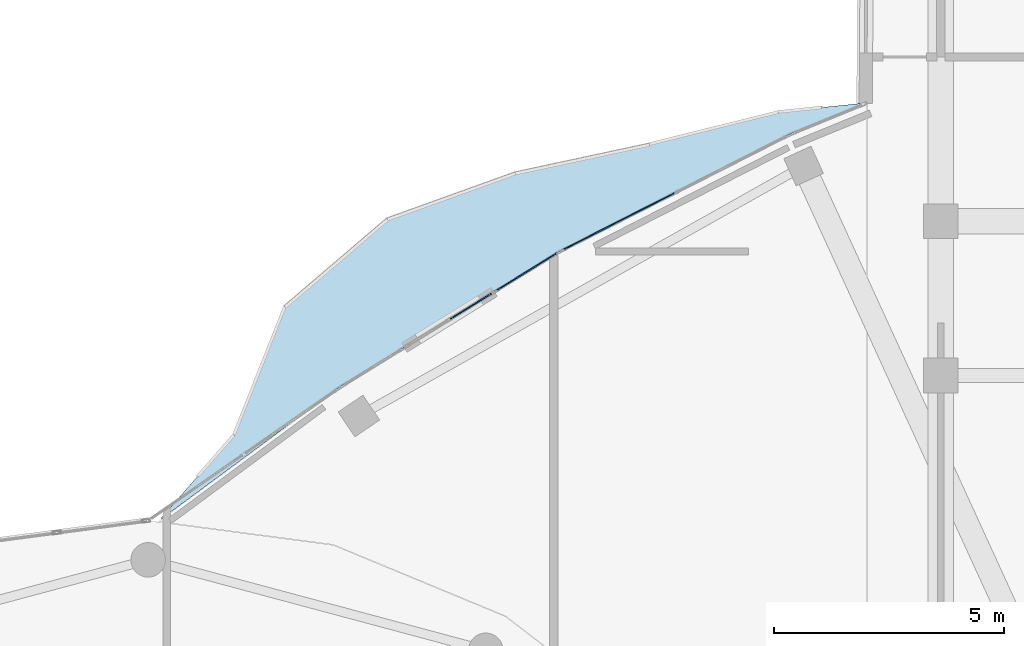
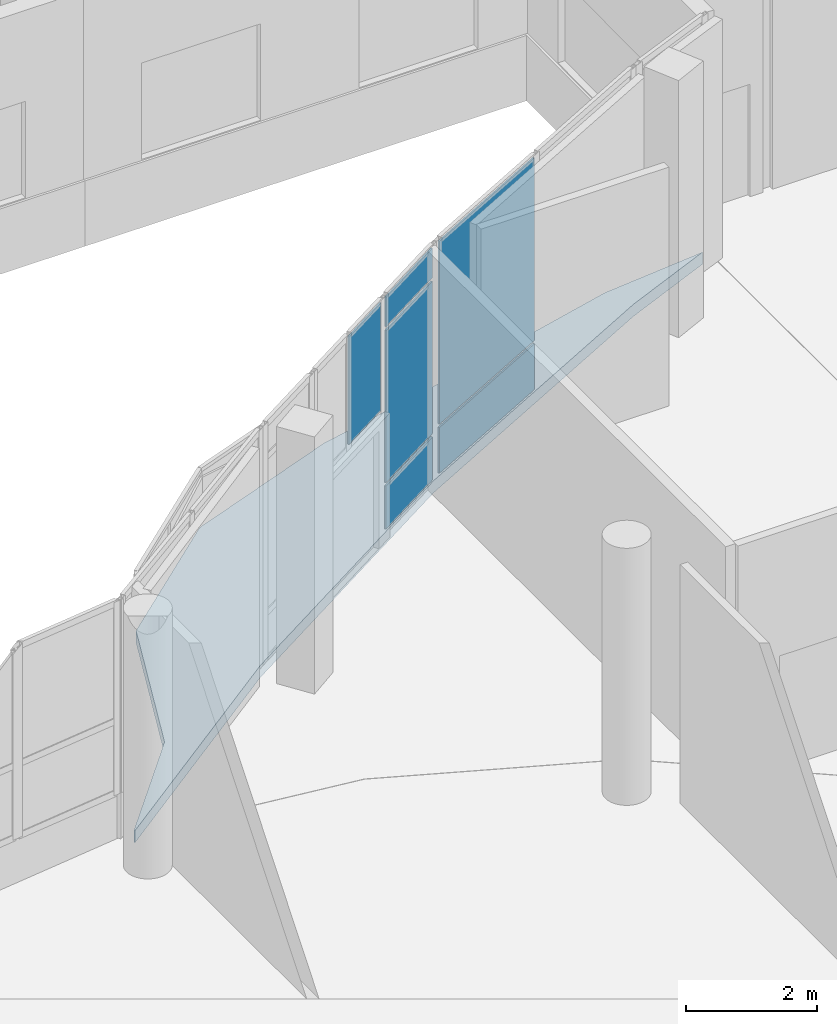
# One storey, part 123 of 155: 6 plates, 1 slab, 3 elements without a shape of their own.
"""IFC4 building model written with IfcOpenShell, lengths in metres."""

from ifc_helpers import new_model, si_unit, direction, frame, origin, origin_2d, place, context, subcontext, project, spatial, polyline, rectangle, outline, extrude, material, layer, layer_set, type_object, element, aggregate, save


model = new_model("IFC4")

# Units and contexts
model_context = context("Model", 3, precision=1e-05, world=origin(), true_north=direction((0.0, 1.0)))
body_context = subcontext(model_context, "Body", "Model", "MODEL_VIEW")
ifc_project = project(units=[si_unit("LENGTHUNIT", "METRE"), si_unit("AREAUNIT", "SQUARE_METRE"), si_unit("VOLUMEUNIT", "CUBIC_METRE"), si_unit("PLANEANGLEUNIT", "RADIAN"), si_unit("MASSUNIT", "GRAM", prefix="KILO")], contexts=[model_context])

# Site, building, storey
site_placement = place(None, origin())
site = spatial("IfcSite", under=ifc_project, at=site_placement, CompositionType="ELEMENT")
building_placement = place(site_placement, origin())
building = spatial("IfcBuilding", under=site, at=building_placement, Name="Selatvlak General Hospital", CompositionType="ELEMENT")
storey_placement = place(building_placement, frame((0.0, 0.0, 10.199951171875)))
storey = spatial("IfcBuildingStorey", under=building, at=storey_placement, Name="L02", CompositionType="ELEMENT", Elevation=10.199951171875)

# Curtain wall, plate
ifc_material_1 = material(Name="Solar-control Low-E double glazing", Category="glass")
curtain_wall_type_1 = type_object("IfcCurtainWallType", Name="CW-CW-02", PredefinedType="USERDEFINED", material=ifc_material_1)
curtain_wall_1_placement = place(storey_placement, origin())
curtain_wall_1 = element("IfcCurtainWall", 1, at=curtain_wall_1_placement, inside=storey, type_object=curtain_wall_type_1, Name="Glazed facade curtain wall CW-L02-0352", ObjectType="UNITISED CURTAIN WALL", PredefinedType="USERDEFINED")
ifc_layer_1 = layer(ifc_material_1, 0.028076171875, Name="Solar-control Low-E double glazing", Category="glass")
ifc_layer_set_1 = layer_set([ifc_layer_1], Name="Solar-control Low-E double glazing")
plate_type = type_object("IfcPlateType", Name="CWP-01", PredefinedType="CURTAIN_PANEL", material=ifc_layer_set_1)
plate_1_placement = place(storey_placement, frame((105.002685546875, 74.15283203125, 2.38525390625), z_axis=(0.0, 0.0, 1.0), x_axis=(0.850415359562, 0.526111885649, 0.0)))
plate_1 = element("IfcPlate", 2, at=plate_1_placement, type_object=plate_type, Name="CW-02 panel 2.1", PredefinedType="CURTAIN_PANEL", context=body_context, shape_type="SweptSolid", body=[
    extrude(rectangle(XDim=1.037353515625, YDim=0.028076171875, at=origin_2d()), origin(), (0.0, 0.0, 1.0), 2.010009765625),
])
aggregate(curtain_wall_1, [plate_1])

# Curtain wall, plates
curtain_wall_type_2 = type_object("IfcCurtainWallType", Name="CW-CW-01", PredefinedType="USERDEFINED", material=ifc_material_1)
curtain_wall_2_placement = place(storey_placement, origin())
curtain_wall_2 = element("IfcCurtainWall", 3, at=curtain_wall_2_placement, inside=storey, type_object=curtain_wall_type_2, Name="Glazed facade curtain wall CW-L02-0354", ObjectType="UNITISED CURTAIN WALL", PredefinedType="USERDEFINED")
plate_2_placement = place(storey_placement, frame((106.214599609375, 74.902099609375, 0.06494140625), z_axis=(0.0, 0.0, 1.0), x_axis=(0.850724979241, 0.525611082166, 0.0)))
plate_2 = element("IfcPlate", 4, at=plate_2_placement, type_object=plate_type, Name="CW-01 panel 1.1", PredefinedType="CURTAIN_PANEL", context=body_context, shape_type="SweptSolid", body=[
    extrude(rectangle(XDim=1.490966796875, YDim=0.028076171875, at=origin_2d()), origin(), (0.0, 0.0, 1.0), 0.802490234375),
])
plate_3_placement = place(storey_placement, frame((106.214599609375, 74.902099609375, 0.9326171875), z_axis=(0.0, 0.0, 1.0), x_axis=(0.850724979241, 0.525611082166, 0.0)))
plate_3 = element("IfcPlate", 5, at=plate_3_placement, type_object=plate_type, Name="CW-01 panel 1.2", PredefinedType="CURTAIN_PANEL", context=body_context, shape_type="SweptSolid", body=[
    extrude(rectangle(XDim=1.490966796875, YDim=0.028076171875, at=origin_2d()), origin(), (0.0, 0.0, 1.0), 2.844970703125),
])
plate_4_placement = place(storey_placement, frame((106.214599609375, 74.902099609375, 3.8427734375), z_axis=(0.0, 0.0, 1.0), x_axis=(0.850724979241, 0.525611082166, 0.0)))
plate_4 = element("IfcPlate", 6, at=plate_4_placement, type_object=plate_type, Name="CW-01 panel 1.3", PredefinedType="CURTAIN_PANEL", context=body_context, shape_type="SweptSolid", body=[
    extrude(rectangle(XDim=1.490966796875, YDim=0.028076171875, at=origin_2d()), origin(), (0.0, 0.0, 1.0), 0.552490234375),
])
aggregate(curtain_wall_2, [plate_2, plate_3, plate_4])

curtain_wall_3_placement = place(storey_placement, origin())
curtain_wall_3 = element("IfcCurtainWall", 7, at=curtain_wall_3_placement, inside=storey, type_object=curtain_wall_type_2, Name="Glazed facade curtain wall CW-L02-0355", ObjectType="UNITISED CURTAIN WALL", PredefinedType="USERDEFINED")
plate_5_placement = place(storey_placement, frame((108.2197265625, 75.9990234375, 0.06494140625), z_axis=(0.0, 0.0, 1.0), x_axis=(0.891326828077, 0.453361318983, 0.0)))
plate_5 = element("IfcPlate", 8, at=plate_5_placement, type_object=plate_type, Name="CW-01 panel 1.1", PredefinedType="CURTAIN_PANEL", context=body_context, shape_type="SweptSolid", body=[
    extrude(rectangle(XDim=2.6630859375, YDim=0.028076171875, at=origin_2d()), origin(), (0.0, 0.0, 1.0), 0.8525390625),
])
plate_6_placement = place(storey_placement, frame((108.2197265625, 75.9990234375, 0.982421875), z_axis=(0.0, 0.0, 1.0), x_axis=(0.891326828077, 0.453361318983, 0.0)))
plate_6 = element("IfcPlate", 9, at=plate_6_placement, type_object=plate_type, Name="CW-01 panel 1.2", PredefinedType="CURTAIN_PANEL", context=body_context, shape_type="SweptSolid", body=[
    extrude(rectangle(XDim=2.6630859375, YDim=0.028076171875, at=origin_2d()), origin(), (0.0, 0.0, 1.0), 3.41259765625),
])
aggregate(curtain_wall_3, [plate_5, plate_6])

# Slab
ifc_material_2 = material(Name="Concrete C40/50", Category="concrete")
ifc_layer_2 = layer(ifc_material_2, 0.22509765625, Name="Concrete C40/50", Category="concrete")
ifc_layer_set_2 = layer_set([ifc_layer_2], Name="Concrete C40/50")
slab_type = type_object("IfcSlabType", Name="SLAB-SL-BL2", PredefinedType="FLOOR", material=ifc_layer_set_2)
slab_placement = place(storey_placement, frame((0.0, 0.0, -0.224853515625)))
element("IfcSlab", 10, at=slab_placement, inside=storey, type_object=slab_type, Name="L02 S-curve sunshade balcony 3", PredefinedType="FLOOR", context=body_context, shape_type="SweptSolid", body=[
    extrude(outline(polyline([(105.958984375, 77.0439453125), (108.8740234375, 77.6689453125), (111.679931640625, 78.368896484375), (113.52001953125, 78.56005859375), (111.907958984375, 77.882080078125), (106.916015625, 75.341064453125), (102.14892578125, 72.39501953125), (98.2919921875, 69.5419921875), (98.26904296875, 69.544921875), (99.861083984375, 71.361083984375), (100.968017578125, 74.14892578125), (103.18603515625, 76.0458984375), (105.958984375, 77.0439453125)])), origin(), (0.0, 0.0, 1.0), 0.224853515625),
])

save(model, "model.ifc")
